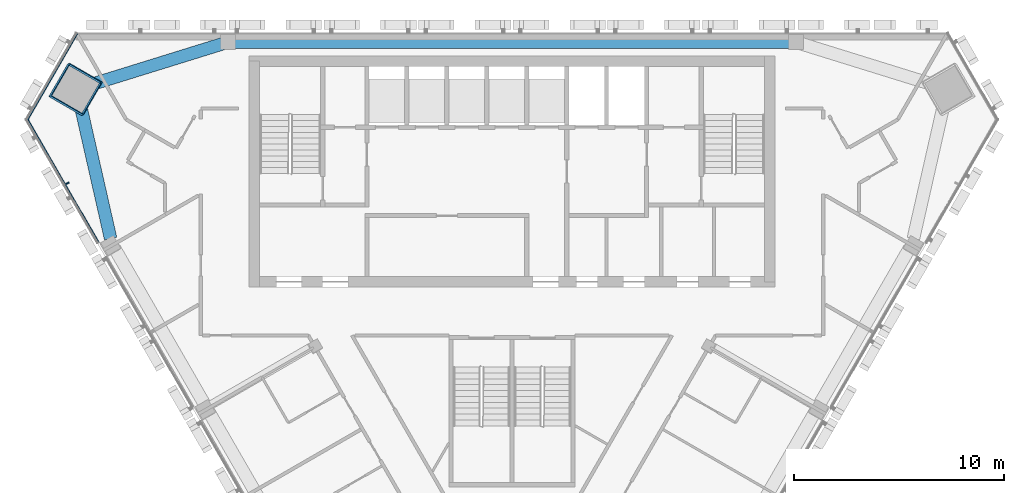
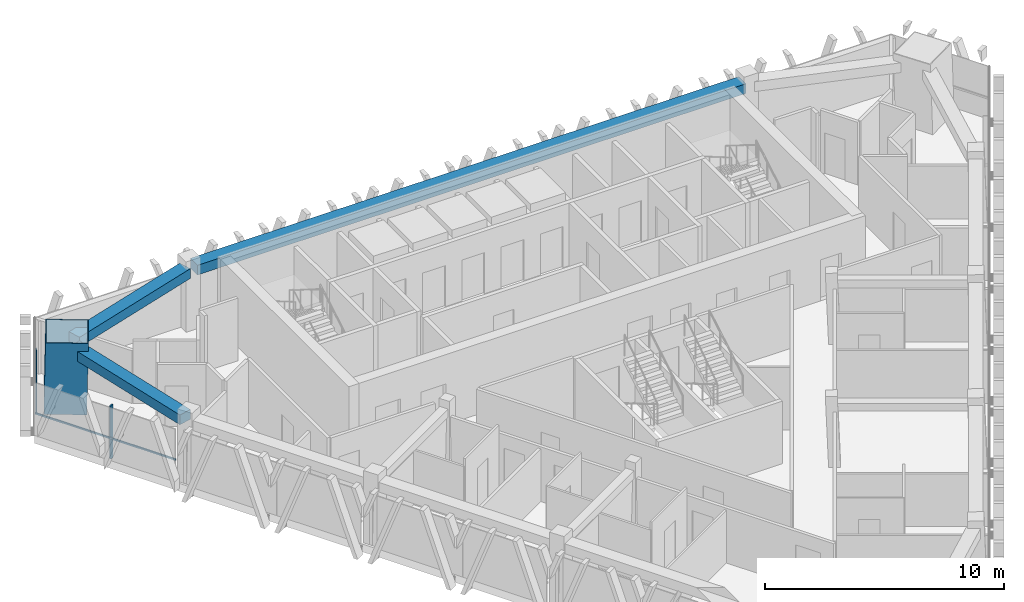
# One storey, part 5 of 14: 4 members, 3 beams, 2 elements without a shape of their own.
"""IFC4 building model written with IfcOpenShell, lengths in metres."""

from ifc_helpers import new_model, si_unit, direction, frame, origin, origin_2d, place, context, subcontext, project, spatial, rectangle, hollow_rectangle, extrude, material, layer, layer_set, material_profile, profile_set, type_object, element, aggregate, save


model = new_model("IFC4")

# Units and contexts
model_context = context("Model", 3, precision=1e-05, world=origin(), true_north=direction((0.0, 1.0)))
body_context = subcontext(model_context, "Body", "Model", "MODEL_VIEW")
ifc_project = project(units=[si_unit("LENGTHUNIT", "METRE"), si_unit("AREAUNIT", "SQUARE_METRE"), si_unit("VOLUMEUNIT", "CUBIC_METRE"), si_unit("PLANEANGLEUNIT", "RADIAN"), si_unit("MASSUNIT", "GRAM", prefix="KILO")], contexts=[model_context])

# Site, building, storey
site_placement = place(None, origin())
site = spatial("IfcSite", under=ifc_project, at=site_placement, CompositionType="ELEMENT")
building_placement = place(site_placement, origin())
building = spatial("IfcBuilding", under=site, at=building_placement, Name="Altiplano Prism Tower", CompositionType="ELEMENT")
storey_placement = place(building_placement, frame((0.0, 0.0, 271.60009765625)))
storey = spatial("IfcBuildingStorey", under=building, at=storey_placement, Name="L70", CompositionType="ELEMENT", Elevation=271.60009765625)

# Curtain wall, member
ifc_material_1 = material(Name="Aluminium and glass", Category="aluminium")
ifc_layer = layer(ifc_material_1, 0.280029296875)
ifc_layer_set = layer_set([ifc_layer], Name="Aluminium and glass")
curtain_wall_type = type_object("IfcCurtainWallType", Name="CW1 typical co-living unitised curtain wall", PredefinedType="NOTDEFINED", material=ifc_layer_set)
curtain_wall_1_placement = place(storey_placement, origin())
curtain_wall_1 = element("IfcCurtainWall", 1, at=curtain_wall_1_placement, inside=storey, type_object=curtain_wall_type, Name="CW1 curtain wall south-west face L70", PredefinedType="NOTDEFINED")
ifc_material_2 = material(Name="Aluminium", Category="aluminium")
ifc_material_profile_1 = material_profile(ifc_material_2, rectangle(XDim=0.179931640625, YDim=0.06494140625, at=origin_2d()), Name="CW1 mullion 65 x 180")
ifc_profile_set_1 = profile_set([ifc_material_profile_1], Name="Aluminium")
member_type_1 = type_object("IfcMemberType", Name="CW1 mullion 65 x 180", PredefinedType="MULLION", material=ifc_profile_set_1)
member_1_placement = place(storey_placement, frame((63.8544921875, 97.831787109375, 0.0), z_axis=(0.0, 0.0, 1.0), x_axis=(0.866025407039, 0.499999994362, 0.0)))
member_1 = element("IfcMember", 2, at=member_1_placement, type_object=member_type_1, Name="CW1 mullion", PredefinedType="MULLION", context=body_context, shape_type="SweptSolid", body=[
    extrude(rectangle(XDim=0.179931640625, YDim=0.06494140625, at=origin_2d()), origin(), (0.0, 0.0, 1.0), 2.699951171875),
])

curtain_wall_2_placement = place(storey_placement, origin())
curtain_wall_2 = element("IfcCurtainWall", 3, at=curtain_wall_2_placement, inside=storey, type_object=curtain_wall_type, Name="CW1 curtain wall north-west chamfer L70", PredefinedType="NOTDEFINED")
ifc_material_profile_2 = material_profile(ifc_material_2, rectangle(XDim=0.06005859375, YDim=0.080078125, at=origin_2d()), Name="CW1 transom 80 x 60")
ifc_profile_set_2 = profile_set([ifc_material_profile_2], Name="Aluminium")
member_type_2 = type_object("IfcMemberType", Name="CW1 transom 80 x 60", PredefinedType="USERDEFINED", material=ifc_profile_set_2)
member_2_placement = place(storey_placement, frame((64.32763671875, 104.965087890625, 1.099853515625), z_axis=(-0.50000302246, -0.866023658759, 0.0), x_axis=(0.866023658759, -0.50000302246, 0.0)))
member_2 = element("IfcMember", 4, at=member_2_placement, type_object=member_type_2, Name="CW1 transom", ObjectType="TRANSOM", PredefinedType="USERDEFINED", context=body_context, shape_type="SweptSolid", body=[
    extrude(rectangle(XDim=0.06005859375, YDim=0.080078125, at=origin_2d()), origin(), (0.0, 0.0, 1.0), 4.7705078125),
])
aggregate(curtain_wall_2, [member_2])

# Member
member_3_placement = place(storey_placement, frame((61.9423828125, 100.90380859375, 1.099853515625), z_axis=(0.500006152372, -0.866021851682, 0.0), x_axis=(0.866021851682, 0.500006152372, 0.0)))
member_3 = element("IfcMember", 5, at=member_3_placement, type_object=member_type_2, Name="CW1 transom", ObjectType="TRANSOM", PredefinedType="USERDEFINED", context=body_context, shape_type="SweptSolid", body=[
    extrude(rectangle(XDim=0.06005859375, YDim=0.080078125, at=origin_2d()), origin(), (0.0, 0.0, 1.0), 6.8037109375),
])

aggregate(curtain_wall_1, [member_1, member_3])

# Beams
ifc_material_3 = material(Name="Concrete C60/75", Category="concrete")
ifc_material_profile_3 = material_profile(ifc_material_3, rectangle(XDim=0.60009765625, YDim=0.5, at=origin_2d()), Name="Edge beam 600x500")
ifc_profile_set_3 = profile_set([ifc_material_profile_3], Name="Concrete C60/75")
beam_type = type_object("IfcBeamType", Name="Edge beam 600x500", PredefinedType="SPANDREL", material=ifc_profile_set_3)
beam_placement = place(storey_placement, frame((98.27001953125, 104.550048828125, 2.949951171875), z_axis=(-1.0, 0.0, 0.0), x_axis=(0.0, -1.0, 0.0)))
element("IfcBeam", 6, at=beam_placement, inside=storey, type_object=beam_type, Name="Edge beam P01-P04 L71", PredefinedType="SPANDREL", context=body_context, shape_type="SweptSolid", body=[
    extrude(rectangle(XDim=0.60009765625, YDim=0.5, at=origin_2d()), origin(), (0.0, 0.0, 1.0), 26.5400390625),
])
for number, where, z_axis, x_axis, name in (
    (7, (71.2646484375, 104.47705078125, 2.949951171875), (-0.95511360212, -0.296239779646, 0.0), (0.296239779646, -0.95511360212, 0.0), "Edge beam P04-M0 L71"),
    (8, (64.40185546875, 101.87890625, 2.949951171875), (0.221033226899, -0.975266277796, 0.0), (0.975266277796, 0.221033226899, 0.0), "Edge beam M0-P11 L71"),
):
    element("IfcBeam", number, at=place(storey_placement, frame(where, z_axis=z_axis, x_axis=x_axis)), inside=storey, type_object=beam_type, Name=name, PredefinedType="SPANDREL", context=body_context, shape_type="SweptSolid", body=[
        extrude(rectangle(XDim=0.60009765625, YDim=0.5, at=origin_2d()), origin(), (0.0, 0.0, 1.0), 6.83935546875),
    ])

# Member
ifc_material_4 = material(Name="Steel S460", Category="steel")
ifc_material_profile_4 = material_profile(ifc_material_4, hollow_rectangle(XDim=1.800048828125, YDim=1.800048828125, WallThickness=0.0400390625, at=origin_2d()), Name="Mega column tube 1800")
ifc_profile_set_4 = profile_set([ifc_material_profile_4], Name="Steel S460")
member_type_3 = type_object("IfcMemberType", Name="Mega column tube 1800", PredefinedType="POST", material=ifc_profile_set_4)
member_4_placement = place(storey_placement, frame((64.2001953125, 102.284423828125, 0.0), z_axis=(0.028403739082, 0.009219352065, 0.999554016126), x_axis=(-0.865117078347, 0.501172625173, 0.019960975165)))
element("IfcMember", 9, at=member_4_placement, inside=storey, type_object=member_type_3, Name="Mega column tube M0 L70", PredefinedType="POST", context=body_context, shape_type="SweptSolid", body=[
    extrude(hollow_rectangle(XDim=1.800048828125, YDim=1.800048828125, WallThickness=0.0400390625, at=origin_2d()), origin(), (0.0, 0.0, 1.0), 3.6015625),
])

save(model, "model.ifc")
